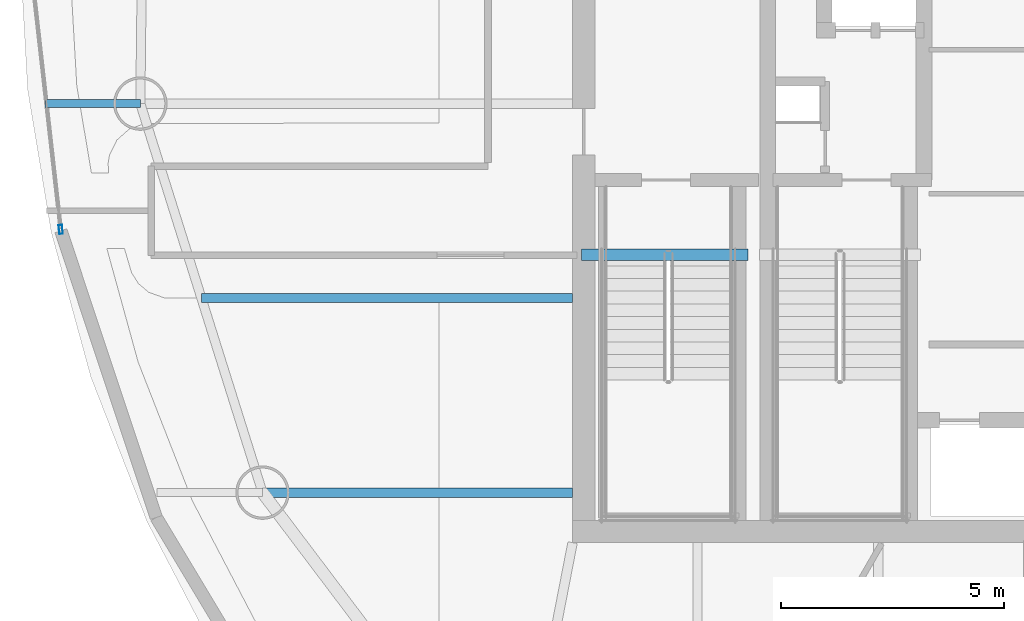
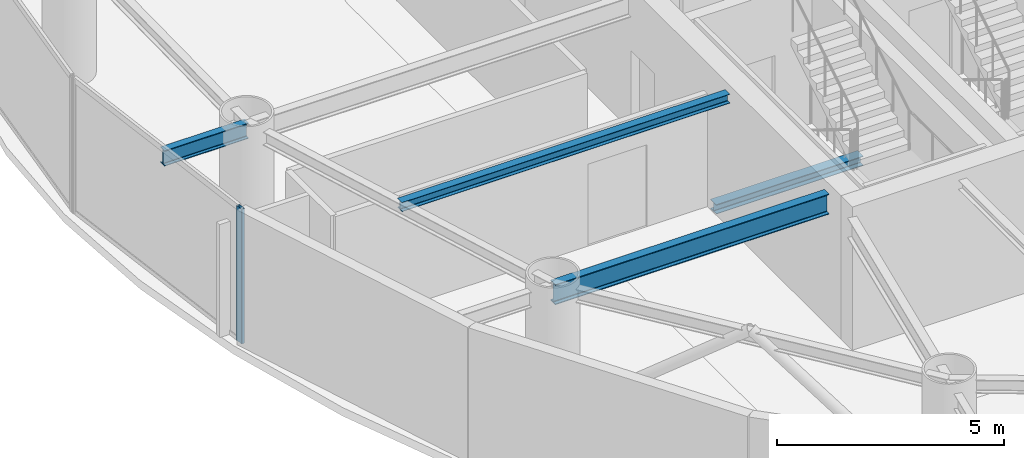
# One storey, part 4 of 20: 4 beams, 1 member, 1 element without a shape of its own.
"""IFC4 building model written with IfcOpenShell, lengths in metres."""

from ifc_helpers import new_model, si_unit, direction, frame, origin, origin_2d, place, context, subcontext, project, spatial, hollow_rectangle, i_section, extrude, material, layer, layer_set, material_profile, profile_set, type_object, element, aggregate, save


model = new_model("IFC4")

# Units and contexts
model_context = context("Model", 3, precision=1e-05, world=origin(), true_north=direction((0.0, 1.0)))
body_context = subcontext(model_context, "Body", "Model", "MODEL_VIEW")
ifc_project = project(units=[si_unit("LENGTHUNIT", "METRE"), si_unit("AREAUNIT", "SQUARE_METRE"), si_unit("VOLUMEUNIT", "CUBIC_METRE"), si_unit("PLANEANGLEUNIT", "RADIAN"), si_unit("MASSUNIT", "GRAM", prefix="KILO")], contexts=[model_context])

# Site, building, storey
site_placement = place(None, origin())
site = spatial("IfcSite", under=ifc_project, at=site_placement, CompositionType="ELEMENT")
building_placement = place(site_placement, origin())
building = spatial("IfcBuilding", under=site, at=building_placement, Name="Bramvorn Convention Spire", CompositionType="ELEMENT")
storey_placement = place(building_placement, frame((0.0, 0.0, 178.89990234375)))
storey = spatial("IfcBuildingStorey", under=building, at=storey_placement, Name="L45", CompositionType="ELEMENT", Elevation=178.89990234375)

# Beams
ifc_material_1 = material(Name="Steel CSA G40.21 Grade 350 (350W)", Category="steel")
ifc_material_profile_1 = material_profile(ifc_material_1, i_section(OverallWidth=0.201904296875, OverallDepth=0.2470703125, WebThickness=0.00732421875, FlangeThickness=0.010986328125, FilletRadius=0.011962890625, at=origin_2d()))
ifc_profile_set_1 = profile_set([ifc_material_profile_1], Name="Steel CSA G40.21 Grade 350 (350W) - W250X49")
beam_type_1 = type_object("IfcBeamType", Name="BM-W250X49", PredefinedType="JOIST", material=ifc_profile_set_1)
beam_1_placement = place(storey_placement, frame((26.75, 24.039794921875, 3.49658203125), z_axis=(-1.0, 0.0, 0.0), x_axis=(0.0, -1.0, 0.0)))
element("IfcBeam", 1, at=beam_1_placement, inside=storey, type_object=beam_type_1, Name="L45 composite floor joist 11", PredefinedType="JOIST", context=body_context, shape_type="SweptSolid", body=[
    extrude(i_section(OverallWidth=0.201904296875, OverallDepth=0.2470703125, WebThickness=0.00732421875, FlangeThickness=0.010986328125, FilletRadius=0.011962890625, at=origin_2d()), origin(), (0.0, 0.0, 1.0), 8.33251953125),
])
ifc_material_profile_2 = material_profile(ifc_material_1, i_section(OverallWidth=0.25390625, OverallDepth=0.2529296875, WebThickness=0.008544921875, FlangeThickness=0.01416015625, FilletRadius=0.011962890625, at=origin_2d()))
ifc_profile_set_2 = profile_set([ifc_material_profile_2], Name="Steel CSA G40.21 Grade 350 (350W) - W250X73")
beam_type_2 = type_object("IfcBeamType", Name="BM-W250X73", PredefinedType="BEAM", material=ifc_profile_set_2)
beam_2_placement = place(storey_placement, frame((26.949951171875, 25.010009765625, -0.12646484375), z_axis=(1.0, 0.0, 0.0), x_axis=(0.0, 1.0, 0.0)))
element("IfcBeam", 2, at=beam_2_placement, inside=storey, type_object=beam_type_2, Name="L45 ST1 stair arrival header beam", PredefinedType="BEAM", context=body_context, shape_type="SweptSolid", body=[
    extrude(i_section(OverallWidth=0.25390625, OverallDepth=0.2529296875, WebThickness=0.008544921875, FlangeThickness=0.01416015625, FilletRadius=0.011962890625, at=origin_2d()), origin(), (0.0, 0.0, 1.0), 3.739990234375),
])
ifc_material_profile_3 = material_profile(ifc_material_1, i_section(OverallWidth=0.180908203125, OverallDepth=0.4169921875, WebThickness=0.010986328125, FlangeThickness=0.018310546875, FilletRadius=0.01611328125, at=origin_2d()))
ifc_profile_set_3 = profile_set([ifc_material_profile_3], Name="Steel CSA G40.21 Grade 350 (350W) - W410X85")
beam_type_3 = type_object("IfcBeamType", Name="BM-W410X85", PredefinedType="JOIST", material=ifc_profile_set_3)
beam_3_placement = place(storey_placement, frame((17.04541015625, 28.406494140625, 3.376708984375), z_axis=(-1.0, 0.0, 0.0), x_axis=(0.0, -1.0, 0.0)))
element("IfcBeam", 3, at=beam_3_placement, inside=storey, type_object=beam_type_3, Name="L45 Sky-Garden cantilever tip girder MC11", PredefinedType="JOIST", context=body_context, shape_type="SweptSolid", body=[
    extrude(i_section(OverallWidth=0.180908203125, OverallDepth=0.4169921875, WebThickness=0.010986328125, FlangeThickness=0.018310546875, FilletRadius=0.01611328125, at=origin_2d()), origin(), (0.0, 0.0, 1.0), 2.134521484375),
])
ifc_material_profile_4 = material_profile(ifc_material_1, i_section(OverallWidth=0.2119140625, OverallDepth=0.5439453125, WebThickness=0.01318359375, FlangeThickness=0.021240234375, FilletRadius=0.01904296875, at=origin_2d()))
ifc_profile_set_4 = profile_set([ifc_material_profile_4], Name="Steel CSA G40.21 Grade 350 (350W) - W530X123")
beam_type_4 = type_object("IfcBeamType", Name="BM-W530X123", PredefinedType="BEAM", material=ifc_profile_set_4)
beam_4_placement = place(storey_placement, frame((26.75, 19.672607421875, 3.31298828125), z_axis=(-1.0, 0.0, 0.0), x_axis=(0.0, -1.0, 0.0)))
element("IfcBeam", 4, at=beam_4_placement, inside=storey, type_object=beam_type_4, Name="L45 Sky-Garden back-span radial girder MC12", PredefinedType="BEAM", context=body_context, shape_type="SweptSolid", body=[
    extrude(i_section(OverallWidth=0.2119140625, OverallDepth=0.5439453125, WebThickness=0.01318359375, FlangeThickness=0.021240234375, FilletRadius=0.01904296875, at=origin_2d()), origin(), (0.0, 0.0, 1.0), 6.96044921875),
])

# Curtain wall, member
ifc_material_2 = material(Name="Anodised Bronze Unitised Curtain Wall", Category="aluminium")
ifc_layer = layer(ifc_material_2, 0.179931640625)
ifc_layer_set = layer_set([ifc_layer], Name="Anodised Bronze Unitised Curtain Wall - CW-OFF-FRIT")
curtain_wall_type = type_object("IfcCurtainWallType", Name="CW-OFF-FRIT", PredefinedType="USERDEFINED", material=ifc_layer_set)
curtain_wall_placement = place(storey_placement, origin())
curtain_wall = element("IfcCurtainWall", 5, at=curtain_wall_placement, inside=storey, type_object=curtain_wall_type, Name="L45 fritted glass curtain wall 15", ObjectType="UNITISED CURTAIN WALL", PredefinedType="USERDEFINED")
ifc_material_3 = material(Name="Anodised Bronze Aluminium 6063-T6", Category="aluminium")
ifc_material_profile_5 = material_profile(ifc_material_3, hollow_rectangle(XDim=0.080078125, YDim=0.199951171875, WallThickness=0.00390625, InnerFilletRadius=0.0009765625, OuterFilletRadius=0.00390625, at=origin_2d()))
ifc_profile_set_5 = profile_set([ifc_material_profile_5], Name="Anodised Bronze Aluminium 6063-T6 - CWM80X200")
member_type = type_object("IfcMemberType", Name="CW-MUL-180", PredefinedType="MULLION", material=ifc_profile_set_5)
member_placement = place(storey_placement, frame((15.258544921875, 25.58203125, 0.0), z_axis=(0.0, 0.0, 1.0), x_axis=(-0.993629270135, -0.112698152297, 0.0)))
member = element("IfcMember", 6, at=member_placement, type_object=member_type, Name="CW3 mullion 1", PredefinedType="MULLION", context=body_context, shape_type="SweptSolid", body=[
    extrude(hollow_rectangle(XDim=0.080078125, YDim=0.199951171875, WallThickness=0.00390625, InnerFilletRadius=0.0009765625, OuterFilletRadius=0.00390625, at=origin_2d()), origin(), (0.0, 0.0, 1.0), 3.6201171875),
])
aggregate(curtain_wall, [member])

save(model, "model.ifc")
